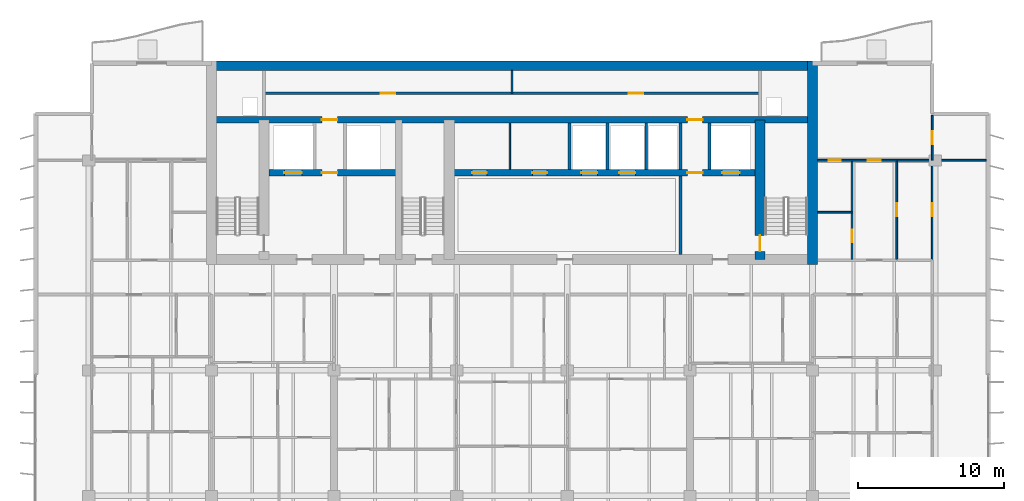
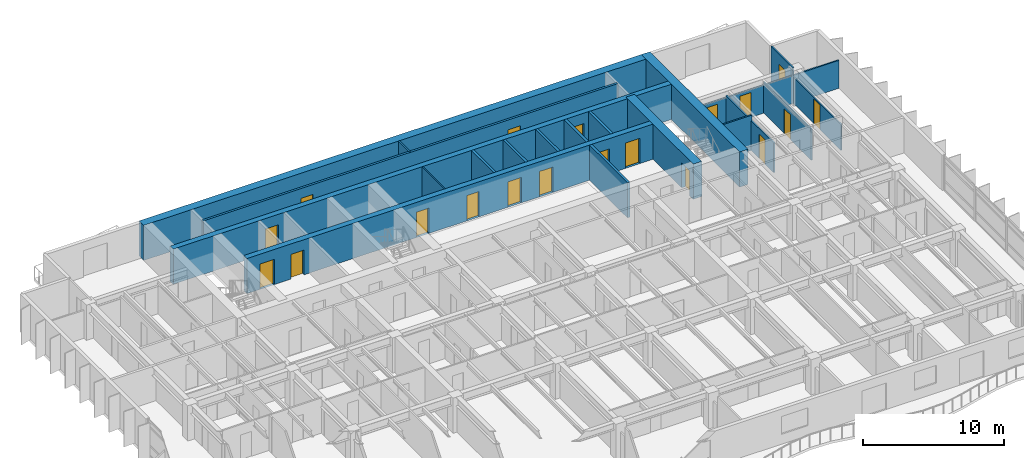
# One storey, part 13 of 18: 21 walls, 19 doors, 19 openings.
"""IFC4 building model written with IfcOpenShell, lengths in metres."""

import ifcopenshell
import ifcopenshell.guid

model = None  # the IFC model being written
_history = None  # IfcOwnerHistory: only IFC2X3 demands one
_inside = {}  # id of a spatial element -> (the spatial element, [elements in it])
_under = {}  # id of a project, library or spatial element -> (it, [spatial elements below it])
_declared = {}  # id of a project -> (the project, [libraries it declares])
_typed = {}  # id of a type object -> (the type object, [elements of that type])
_made_of = {}  # id of a material, layer set ... -> (it, [elements and type objects made of it])


def new_model(schema):
    """Start an empty IFC model of exactly this schema.

    Asked for "IFC4X3", IfcOpenShell would pick the latest addendum, in which some entities
    have other attributes; the version numbers below select the first issue.
    IFC2X3 requires an IfcOwnerHistory on every rooted entity: one is made here for all.
    """
    global model, _history
    if schema == "IFC4X3":
        model = ifcopenshell.file(schema_version=(4, 3, 0, 0))
    else:
        model = ifcopenshell.file(schema=schema)
    _inside.clear()
    _under.clear()
    _declared.clear()
    _typed.clear()
    _made_of.clear()
    _history = None
    if model.schema == "IFC2X3":
        org = make("IfcOrganization", Name="unknown")
        user = make(
            "IfcPersonAndOrganization",
            ThePerson=make("IfcPerson", FamilyName="unknown"),
            TheOrganization=org,
        )
        app = make(
            "IfcApplication",
            ApplicationDeveloper=org,
            Version="unknown",
            ApplicationFullName="unknown",
            ApplicationIdentifier="unknown",
        )
        _history = make(
            "IfcOwnerHistory",
            OwningUser=user,
            OwningApplication=app,
            ChangeAction="ADDED",
            CreationDate=0,
        )
    return model


def make(cls, **values):
    """One entity of the class cls with the attributes given. An attribute that is None is left unset."""
    return model.create_entity(
        cls, **{name: value for name, value in values.items() if value is not None}
    )


def rooted(cls, **values):
    """An entity with a GlobalId (a new one), such as an element, a storey or a relation."""
    return make(cls, GlobalId=ifcopenshell.guid.new(), OwnerHistory=_history, **values)


def si_unit(unit_type, name, prefix=None):
    """IfcSIUnit, for example si_unit("LENGTHUNIT", "METRE", prefix="MILLI")."""
    return make("IfcSIUnit", UnitType=unit_type, Prefix=prefix, Name=name)


def assignment(units):
    """IfcUnitAssignment: the units of a project."""
    return None if units is None else make("IfcUnitAssignment", Units=units)


def point(xyz):
    """IfcCartesianPoint."""
    return None if xyz is None else make("IfcCartesianPoint", Coordinates=xyz)


def direction(xyz):
    """IfcDirection."""
    return None if xyz is None else make("IfcDirection", DirectionRatios=xyz)


def frame(location, z_axis=None, x_axis=None):
    """IfcAxis2Placement3D, a coordinate frame: its origin and axes. An axis left out is left unset."""
    return make(
        "IfcAxis2Placement3D",
        Location=point(location),
        Axis=direction(z_axis),
        RefDirection=direction(x_axis),
    )


def frame_2d(location, x_axis=None):
    """IfcAxis2Placement2D, a coordinate frame in the plane: its origin and x axis."""
    return make(
        "IfcAxis2Placement2D", Location=point(location), RefDirection=direction(x_axis)
    )


def origin():
    """The frame at (0, 0, 0) with its axes left unset."""
    return frame((0.0, 0.0, 0.0))


def place(relative_to, where):
    """IfcLocalPlacement: puts the frame where relative to a parent placement (None: the world)."""
    return make(
        "IfcLocalPlacement", PlacementRelTo=relative_to, RelativePlacement=where
    )


def context(
    kind, dimensions, precision=None, world=None, true_north=None, identifier=None
):
    """IfcGeometricRepresentationContext, for example the 3D "Model" context."""
    return make(
        "IfcGeometricRepresentationContext",
        ContextIdentifier=identifier,
        ContextType=kind,
        CoordinateSpaceDimension=dimensions,
        Precision=precision,
        WorldCoordinateSystem=world,
        TrueNorth=true_north,
    )


def subcontext(parent, identifier, kind, view, scale=None):
    """IfcGeometricRepresentationSubContext, for example "Body" below "Model"."""
    return make(
        "IfcGeometricRepresentationSubContext",
        ContextIdentifier=identifier,
        ContextType=kind,
        ParentContext=parent,
        TargetScale=scale,
        TargetView=view,
    )


def project(units=None, contexts=None):
    """IfcProject with its units and contexts."""
    return rooted(
        "IfcProject",
        Name="project",
        RepresentationContexts=contexts,
        UnitsInContext=assignment(units),
    )


def spatial(cls, under=None, at=None, **own):
    """A site, building, storey or space (cls), placed at a placement, below another one or the project."""
    s = rooted(cls, ObjectPlacement=at, **own)
    if under is not None:
        _under.setdefault(under.id(), (under, []))[1].append(s)
    return s


def profile(cls, at=None, kind="AREA", **sizes):
    """A parametric profile (cls). Its sizes go by their IFC names, for example OverallWidth=200.0."""
    return make(cls, ProfileType=kind, Position=at, **sizes)


def rectangle(**sizes):
    """IfcRectangleProfileDef."""
    return profile("IfcRectangleProfileDef", **sizes)


def extrude(swept, where, along, depth):
    """IfcExtrudedAreaSolid: the profile swept, set in the frame where, extruded along a direction by depth."""
    return make(
        "IfcExtrudedAreaSolid",
        SweptArea=swept,
        Position=where,
        ExtrudedDirection=direction(along),
        Depth=depth,
    )


def shape(context_of_items, identifier, shape_type, items):
    """IfcShapeRepresentation: the items that make up one representation, for example the "Body"."""
    return make(
        "IfcShapeRepresentation",
        ContextOfItems=context_of_items,
        RepresentationIdentifier=identifier,
        RepresentationType=shape_type,
        Items=items,
    )


def material(Name=None, Category=None):
    """IfcMaterial."""
    return make("IfcMaterial", Name=Name, Category=Category)


def layer(
    of_material, thickness, ventilated=None, Name=None, Category=None, Priority=None
):
    """IfcMaterialLayer: one layer of a wall or slab, of a material (None: an air gap)."""
    return make(
        "IfcMaterialLayer",
        Material=of_material,
        LayerThickness=thickness,
        IsVentilated=ventilated,
        Name=Name,
        Category=Category,
        Priority=Priority,
    )


def layer_set(layers, Name=None):
    """IfcMaterialLayerSet."""
    return make("IfcMaterialLayerSet", MaterialLayers=layers, LayerSetName=Name)


def made_of(thing, what):
    """Note that an element or type object is made of a material, layer set ...; save() writes the relation."""
    if what is not None:
        _made_of.setdefault(what.id(), (what, []))[1].append(thing)
    return thing


def type_object(cls, material=None, **own):
    """A type object (cls), such as IfcWallType, which elements share."""
    return made_of(rooted(cls, **own), material)


def element(
    cls,
    number,
    at=None,
    inside=None,
    cuts=None,
    type_object=None,
    material=None,
    context=None,
    identifier="Body",
    shape_type=None,
    held_by="IfcProductDefinitionShape",
    body=None,
    shapes=None,
    **own,
):
    """One element of the class cls, such as IfcWall. Its Tag is "e" and its number.

    at: its placement. inside: the storey or other place that contains it. cuts: it is an
    opening in that element (IfcRelVoidsElement). A single representation is given by context,
    identifier, shape_type and body (its items); several are given by shapes. held_by: the class
    of the entity that holds the representations. save() writes the other relations.
    """
    e = rooted(cls, Tag="e%d" % number, ObjectPlacement=at, **own)
    if body is not None:
        shapes = [shape(context, identifier, shape_type, body)]
    if shapes is not None:
        e.Representation = make(held_by, Representations=shapes)
    if inside is not None:
        _inside.setdefault(inside.id(), (inside, []))[1].append(e)
    if cuts is not None:
        rooted(
            "IfcRelVoidsElement", RelatingBuildingElement=cuts, RelatedOpeningElement=e
        )
    if type_object is not None:
        _typed.setdefault(type_object.id(), (type_object, []))[1].append(e)
    return made_of(e, material)


def fill(opening, filler):
    """IfcRelFillsElement: the door or window that sits in an opening."""
    return rooted(
        "IfcRelFillsElement",
        RelatingOpeningElement=opening,
        RelatedBuildingElement=filler,
    )


def aggregate(whole, parts):
    """IfcRelAggregates: a whole, such as a stair, and the parts it consists of."""
    return rooted("IfcRelAggregates", RelatingObject=whole, RelatedObjects=parts)


def save(model, path):
    """Write the relations noted so far, then the file.

    IfcRelAggregates (storeys below a building ...), IfcRelContainedInSpatialStructure (elements
    in a storey), IfcRelDefinesByType, IfcRelAssociatesMaterial and IfcRelDeclares: one each for
    every whole, place, type object, material and project.
    """
    for whole, parts in _under.values():
        aggregate(whole, parts)
    for where, things in _inside.values():
        rooted(
            "IfcRelContainedInSpatialStructure",
            RelatedElements=things,
            RelatingStructure=where,
        )
    for kind, things in _typed.values():
        rooted("IfcRelDefinesByType", RelatedObjects=things, RelatingType=kind)
    for what, things in _made_of.values():
        rooted("IfcRelAssociatesMaterial", RelatedObjects=things, RelatingMaterial=what)
    for by, libraries in _declared.values():
        rooted("IfcRelDeclares", RelatingContext=by, RelatedDefinitions=libraries)
    model.write(path)


model = new_model("IFC4")

# Units and contexts
model_context = context("Model", 3, precision=1e-05, world=origin(), true_north=direction((0.0, 1.0)))
body_context = subcontext(model_context, "Body", "Model", "MODEL_VIEW")
ifc_project = project(units=[si_unit("LENGTHUNIT", "METRE"), si_unit("AREAUNIT", "SQUARE_METRE"), si_unit("VOLUMEUNIT", "CUBIC_METRE"), si_unit("PLANEANGLEUNIT", "RADIAN"), si_unit("MASSUNIT", "GRAM", prefix="KILO")], contexts=[model_context])

# Site, building, storey
site_placement = place(None, origin())
site = spatial("IfcSite", under=ifc_project, at=site_placement, CompositionType="ELEMENT")
building_placement = place(site_placement, origin())
building = spatial("IfcBuilding", under=site, at=building_placement, Name="Caelmar Bay Residences", CompositionType="ELEMENT")
storey_placement = place(building_placement, frame((0.0, 0.0, 173.699951171875)))
storey = spatial("IfcBuildingStorey", under=building, at=storey_placement, Name="L48", CompositionType="ELEMENT", Elevation=173.699951171875)

# Wall
ifc_material_1 = material(Name="Concrete f'c 55 MPa (8,000 psi)", Category="concrete")
ifc_layer_1 = layer(ifc_material_1, 0.699951171875)
ifc_layer_set_1 = layer_set([ifc_layer_1], Name="Concrete f'c 55 MPa (8,000 psi)")
wall_type_1 = type_object("IfcWallType", Name="SW-COR-700", PredefinedType="SHEAR", material=ifc_layer_set_1)
wall_1_placement = place(storey_placement, frame((59.5, 36.64990234375, 0.0), z_axis=(0.0, 0.0, 1.0), x_axis=(0.0, 1.0, 0.0)))
element("IfcWall", 1, at=wall_1_placement, inside=storey, type_object=wall_type_1, Name="L48 Rear Core East Shear Wall", PredefinedType="SHEAR", context=body_context, shape_type="SweptSolid", body=[
    extrude(rectangle(XDim=13.9501953125, YDim=0.699951171875, at=frame_2d((6.97509765625, 0.0))), origin(), (0.0, 0.0, 1.0), 3.050048828125),
])

# Wall, opening, door
wall_2_placement = place(storey_placement, frame((55.89990234375, 37.0, 0.0), z_axis=(0.0, 0.0, 1.0), x_axis=(0.0, 1.0, 0.0)))
wall_2 = element("IfcWall", 2, at=wall_2_placement, inside=storey, type_object=wall_type_1, Name="L48 Core Structural Web Wall ST2W", PredefinedType="SHEAR", context=body_context, shape_type="SweptSolid", body=[
    extrude(rectangle(XDim=9.574951171875, YDim=0.699951171875, at=frame_2d((4.78759765625, 0.0))), origin(), (0.0, 0.0, 1.0), 3.050048828125),
])
opening_1_placement = place(wall_2_placement, frame((0.550048828125, 0.0, 0.0)))
opening_1 = element("IfcOpeningElement", 3, at=opening_1_placement, cuts=wall_2, Name="Opening D-L48-110", PredefinedType="OPENING", context=body_context, shape_type="SweptSolid", body=[
    extrude(rectangle(XDim=1.10009765625, YDim=2.14990234375, at=frame_2d((0.550048828125, 1.074951171875))), frame((0.0, 0.35986328125, 0.0), z_axis=(0.0, -1.0, 0.0), x_axis=(1.0, 0.0, 0.0)), (0.0, 0.0, 1.0), 0.719970703125),
])
ifc_material_2 = material(Name="Fire-rated steel and walnut architectural door assembly", Category="steel")
ifc_layer_2 = layer(ifc_material_2, 0.050048828125)
ifc_layer_set_2 = layer_set([ifc_layer_2], Name="Fire-rated steel and walnut architectural door assembly")
door_type_1 = type_object("IfcDoorType", Name="D-STAIR-1100", OperationType="NOTDEFINED", PredefinedType="DOOR", material=ifc_layer_set_2)
door_1_placement = place(opening_1_placement, origin())
door_1 = element("IfcDoor", 4, at=door_1_placement, inside=storey, type_object=door_type_1, Name="L48 Firefighting Lobby East Door", OperationType="SINGLE_SWING_LEFT", OverallHeight=2.14990234375, OverallWidth=1.10009765625, PredefinedType="DOOR", context=body_context, shape_type="SweptSolid", body=[
    extrude(rectangle(XDim=1.10009765625, YDim=2.14990234375, at=frame_2d((0.550048828125, 1.074951171875))), frame((0.0, 0.02490234375, 0.0), z_axis=(0.0, -1.0, 0.0), x_axis=(1.0, 0.0, 0.0)), (0.0, 0.0, 1.0), 0.050048828125),
])
fill(opening_1, door_1)

# Wall
ifc_layer_3 = layer(ifc_material_1, 0.64990234375)
ifc_layer_set_3 = layer_set([ifc_layer_3], Name="Concrete f'c 55 MPa (8,000 psi)")
wall_type_2 = type_object("IfcWallType", Name="SW-CORN-650", PredefinedType="SHEAR", material=ifc_layer_set_3)
wall_3_placement = place(storey_placement, frame((17.949951171875, 50.27490234375, 0.0), z_axis=(0.0, 0.0, 1.0), x_axis=(1.0, 0.0, 0.0)))
element("IfcWall", 5, at=wall_3_placement, inside=storey, type_object=wall_type_2, Name="L48 Rear Core North Shear Wall", PredefinedType="SHEAR", context=body_context, shape_type="SweptSolid", body=[
    extrude(rectangle(XDim=41.900146484375, YDim=0.64990234375, at=frame_2d((20.9501953125, 0.0))), origin(), (0.0, 0.0, 1.0), 3.050048828125),
])

# Wall, openings, doors
ifc_material_3 = material(Name="Concrete f'c 70 MPa (10,000 psi)", Category="concrete")
ifc_layer_4 = layer(ifc_material_3, 0.449951171875)
ifc_layer_set_4 = layer_set([ifc_layer_4], Name="Concrete f'c 70 MPa (10,000 psi)")
wall_type_3 = type_object("IfcWallType", Name="SW-WEB-450", PredefinedType="SHEAR", material=ifc_layer_set_4)
wall_4_placement = place(storey_placement, frame((22.25, 42.949951171875, 0.0), z_axis=(0.0, 0.0, 1.0), x_axis=(1.0, 0.0, 0.0)))
wall_4 = element("IfcWall", 6, at=wall_4_placement, inside=storey, type_object=wall_type_3, Name="L48 Core Structural Web Wall LFR", PredefinedType="SHEAR", context=body_context, shape_type="SweptSolid", body=[
    extrude(rectangle(XDim=33.300048828125, YDim=0.449951171875, at=frame_2d((16.64990234375, 0.0))), origin(), (0.0, 0.0, 1.0), 3.050048828125),
])
opening_2_placement = place(wall_4_placement, frame((1.050048828125, 0.0, 0.0)))
opening_2 = element("IfcOpeningElement", 7, at=opening_2_placement, cuts=wall_4, Name="Opening LD2", PredefinedType="OPENING", context=body_context, shape_type="SweptSolid", body=[
    extrude(rectangle(XDim=1.199951171875, YDim=2.199951171875, at=frame_2d((0.60009765625, 1.10009765625))), frame((0.0, 0.23486328125, 0.0), z_axis=(0.0, -1.0, 0.0), x_axis=(1.0, 0.0, 0.0)), (0.0, 0.0, 1.0), 0.469970703125),
])
opening_3_placement = place(wall_4_placement, frame((31.050048828125, 0.0, 0.0)))
opening_3 = element("IfcOpeningElement", 8, at=opening_3_placement, cuts=wall_4, Name="Opening LD2", PredefinedType="OPENING", context=body_context, shape_type="SweptSolid", body=[
    extrude(rectangle(XDim=1.199951171875, YDim=2.199951171875, at=frame_2d((0.60009765625, 1.10009765625))), frame((0.0, 0.23486328125, 0.0), z_axis=(0.0, -1.0, 0.0), x_axis=(1.0, 0.0, 0.0)), (0.0, 0.0, 1.0), 0.469970703125),
])
opening_4_placement = place(wall_4_placement, frame((21.39990234375, 0.0, 0.0)))
opening_4 = element("IfcOpeningElement", 9, at=opening_4_placement, cuts=wall_4, Name="Opening LD1", PredefinedType="OPENING", context=body_context, shape_type="SweptSolid", body=[
    extrude(rectangle(XDim=1.10009765625, YDim=2.199951171875, at=frame_2d((0.550048828125, 1.10009765625))), frame((0.0, 0.23486328125, 0.0), z_axis=(0.0, -1.0, 0.0), x_axis=(1.0, 0.0, 0.0)), (0.0, 0.0, 1.0), 0.469970703125),
])
opening_5_placement = place(wall_4_placement, frame((24.0, 0.0, 0.0)))
opening_5 = element("IfcOpeningElement", 10, at=opening_5_placement, cuts=wall_4, Name="Opening LD1", PredefinedType="OPENING", context=body_context, shape_type="SweptSolid", body=[
    extrude(rectangle(XDim=1.10009765625, YDim=2.199951171875, at=frame_2d((0.550048828125, 1.10009765625))), frame((0.0, 0.23486328125, 0.0), z_axis=(0.0, -1.0, 0.0), x_axis=(1.0, 0.0, 0.0)), (0.0, 0.0, 1.0), 0.469970703125),
])
opening_6_placement = place(wall_4_placement, frame((3.625, 0.0, 0.0)))
opening_6 = element("IfcOpeningElement", 11, at=opening_6_placement, cuts=wall_4, Name="Opening D-L48-108", PredefinedType="OPENING", context=body_context, shape_type="SweptSolid", body=[
    extrude(rectangle(XDim=1.050048828125, YDim=2.14990234375, at=frame_2d((0.52490234375, 1.074951171875))), frame((0.0, 0.23486328125, 0.0), z_axis=(0.0, -1.0, 0.0), x_axis=(1.0, 0.0, 0.0)), (0.0, 0.0, 1.0), 0.469970703125),
])
opening_7_placement = place(wall_4_placement, frame((28.675048828125, 0.0, 0.0)))
opening_7 = element("IfcOpeningElement", 12, at=opening_7_placement, cuts=wall_4, Name="Opening D-L48-111", PredefinedType="OPENING", context=body_context, shape_type="SweptSolid", body=[
    extrude(rectangle(XDim=1.050048828125, YDim=2.14990234375, at=frame_2d((0.52490234375, 1.074951171875))), frame((0.0, 0.23486328125, 0.0), z_axis=(0.0, -1.0, 0.0), x_axis=(1.0, 0.0, 0.0)), (0.0, 0.0, 1.0), 0.469970703125),
])
opening_8_placement = place(wall_4_placement, frame((13.925048828125, 0.0, 0.0)))
opening_8 = element("IfcOpeningElement", 13, at=opening_8_placement, cuts=wall_4, Name="Opening D-L48-114", PredefinedType="OPENING", context=body_context, shape_type="SweptSolid", body=[
    extrude(rectangle(XDim=1.0, YDim=2.199951171875, at=frame_2d((0.5, 1.10009765625))), frame((0.0, 0.23486328125, 0.0), z_axis=(0.0, -1.0, 0.0), x_axis=(1.0, 0.0, 0.0)), (0.0, 0.0, 1.0), 0.469970703125),
])
opening_9_placement = place(wall_4_placement, frame((18.050048828125, 0.0, 0.0)))
opening_9 = element("IfcOpeningElement", 14, at=opening_9_placement, cuts=wall_4, Name="Opening D-L48-115", PredefinedType="OPENING", context=body_context, shape_type="SweptSolid", body=[
    extrude(rectangle(XDim=1.0, YDim=2.199951171875, at=frame_2d((0.5, 1.10009765625))), frame((0.0, 0.23486328125, 0.0), z_axis=(0.0, -1.0, 0.0), x_axis=(1.0, 0.0, 0.0)), (0.0, 0.0, 1.0), 0.469970703125),
])
ifc_layer_5 = layer(ifc_material_2, 0.050048828125)
ifc_layer_set_5 = layer_set([ifc_layer_5], Name="Fire-rated steel and walnut architectural door assembly")
door_type_2 = type_object("IfcDoorType", Name="D-FSAE-1050", OperationType="NOTDEFINED", PredefinedType="DOOR", material=ifc_layer_set_5)
door_2_placement = place(opening_6_placement, origin())
door_2 = element("IfcDoor", 15, at=door_2_placement, inside=storey, type_object=door_type_2, Name="L48 Firefighting Lobby West Door", OperationType="SINGLE_SWING_LEFT", OverallHeight=2.14990234375, OverallWidth=1.050048828125, PredefinedType="DOOR", context=body_context, shape_type="SweptSolid", body=[
    extrude(rectangle(XDim=1.050048828125, YDim=2.14990234375, at=frame_2d((0.52490234375, 1.074951171875))), frame((0.0, 0.02490234375, 0.0), z_axis=(0.0, -1.0, 0.0), x_axis=(1.0, 0.0, 0.0)), (0.0, 0.0, 1.0), 0.050048828125),
])
fill(opening_6, door_2)
door_3_placement = place(opening_7_placement, origin())
door_3 = element("IfcDoor", 16, at=door_3_placement, inside=storey, type_object=door_type_2, Name="L48 Firefighting Lobby East Door", OperationType="SINGLE_SWING_RIGHT", OverallHeight=2.14990234375, OverallWidth=1.050048828125, PredefinedType="DOOR", context=body_context, shape_type="SweptSolid", body=[
    extrude(rectangle(XDim=1.050048828125, YDim=2.14990234375, at=frame_2d((0.52490234375, 1.074951171875))), frame((0.0, 0.02490234375, 0.0), z_axis=(0.0, -1.0, 0.0), x_axis=(1.0, 0.0, 0.0)), (0.0, 0.0, 1.0), 0.050048828125),
])
fill(opening_7, door_3)
ifc_material_4 = material(Name="Brushed bronze stainless-steel fire-rated lift landing doors", Category="steel")
ifc_layer_6 = layer(ifc_material_4, 0.050048828125)
ifc_layer_set_6 = layer_set([ifc_layer_6], Name="Brushed bronze stainless-steel fire-rated lift landing doors")
door_type_3 = type_object("IfcDoorType", Name="D-LND-1100", OperationType="DOUBLE_DOOR_SLIDING", PredefinedType="DOOR", material=ifc_layer_set_6)
door_4_placement = place(opening_4_placement, origin())
door_4 = element("IfcDoor", 17, at=door_4_placement, inside=storey, type_object=door_type_3, Name="L48 LP4 Sliding Landing Door", OperationType="DOUBLE_DOOR_SLIDING", OverallHeight=2.199951171875, OverallWidth=1.10009765625, PredefinedType="DOOR", context=body_context, shape_type="SweptSolid", body=[
    extrude(rectangle(XDim=1.10009765625, YDim=2.199951171875, at=frame_2d((0.550048828125, 1.10009765625))), frame((0.0, 0.02490234375, 0.0), z_axis=(0.0, -1.0, 0.0), x_axis=(1.0, 0.0, 0.0)), (0.0, 0.0, 1.0), 0.050048828125),
])
fill(opening_4, door_4)
door_5_placement = place(opening_5_placement, origin())
door_5 = element("IfcDoor", 18, at=door_5_placement, inside=storey, type_object=door_type_3, Name="L48 LP5 Sliding Landing Door", OperationType="DOUBLE_DOOR_SLIDING", OverallHeight=2.199951171875, OverallWidth=1.10009765625, PredefinedType="DOOR", context=body_context, shape_type="SweptSolid", body=[
    extrude(rectangle(XDim=1.10009765625, YDim=2.199951171875, at=frame_2d((0.550048828125, 1.10009765625))), frame((0.0, 0.02490234375, 0.0), z_axis=(0.0, -1.0, 0.0), x_axis=(1.0, 0.0, 0.0)), (0.0, 0.0, 1.0), 0.050048828125),
])
fill(opening_5, door_5)
ifc_material_5 = material(Name="Brushed stainless-steel FSAE sliding landing door", Category="steel")
ifc_layer_7 = layer(ifc_material_5, 0.050048828125)
ifc_layer_set_7 = layer_set([ifc_layer_7], Name="Brushed stainless-steel FSAE sliding landing door")
door_type_4 = type_object("IfcDoorType", Name="D-LND-1200", OperationType="DOUBLE_DOOR_SLIDING", PredefinedType="DOOR", material=ifc_layer_set_7)
door_6_placement = place(opening_2_placement, origin())
door_6 = element("IfcDoor", 19, at=door_6_placement, inside=storey, type_object=door_type_4, Name="L48 LF1 Sliding Landing Door", OperationType="DOUBLE_DOOR_SLIDING", OverallHeight=2.199951171875, OverallWidth=1.199951171875, PredefinedType="DOOR", context=body_context, shape_type="SweptSolid", body=[
    extrude(rectangle(XDim=1.199951171875, YDim=2.199951171875, at=frame_2d((0.60009765625, 1.10009765625))), frame((0.0, 0.02490234375, 0.0), z_axis=(0.0, -1.0, 0.0), x_axis=(1.0, 0.0, 0.0)), (0.0, 0.0, 1.0), 0.050048828125),
])
fill(opening_2, door_6)
door_7_placement = place(opening_3_placement, origin())
door_7 = element("IfcDoor", 20, at=door_7_placement, inside=storey, type_object=door_type_4, Name="L48 LF2 Sliding Landing Door", OperationType="DOUBLE_DOOR_SLIDING", OverallHeight=2.199951171875, OverallWidth=1.199951171875, PredefinedType="DOOR", context=body_context, shape_type="SweptSolid", body=[
    extrude(rectangle(XDim=1.199951171875, YDim=2.199951171875, at=frame_2d((0.60009765625, 1.10009765625))), frame((0.0, 0.02490234375, 0.0), z_axis=(0.0, -1.0, 0.0), x_axis=(1.0, 0.0, 0.0)), (0.0, 0.0, 1.0), 0.050048828125),
])
fill(opening_3, door_7)
ifc_layer_8 = layer(ifc_material_2, 0.050048828125)
ifc_layer_set_8 = layer_set([ifc_layer_8], Name="Fire-rated steel and walnut architectural door assembly")
door_type_5 = type_object("IfcDoorType", Name="D-UNIT-1000", OperationType="NOTDEFINED", PredefinedType="DOOR", material=ifc_layer_set_8)
door_8_placement = place(opening_8_placement, origin())
door_8 = element("IfcDoor", 21, at=door_8_placement, inside=storey, type_object=door_type_5, Name="L48 Residents Study Room Door", OperationType="SINGLE_SWING_LEFT", OverallHeight=2.199951171875, OverallWidth=1.0, PredefinedType="DOOR", context=body_context, shape_type="SweptSolid", body=[
    extrude(rectangle(XDim=1.0, YDim=2.199951171875, at=frame_2d((0.5, 1.10009765625))), frame((0.0, 0.02490234375, 0.0), z_axis=(0.0, -1.0, 0.0), x_axis=(1.0, 0.0, 0.0)), (0.0, 0.0, 1.0), 0.050048828125),
])
fill(opening_8, door_8)
door_9_placement = place(opening_9_placement, origin())
door_9 = element("IfcDoor", 22, at=door_9_placement, inside=storey, type_object=door_type_5, Name="L48 Wine Tasting Room Door", OperationType="SINGLE_SWING_RIGHT", OverallHeight=2.199951171875, OverallWidth=1.0, PredefinedType="DOOR", context=body_context, shape_type="SweptSolid", body=[
    extrude(rectangle(XDim=1.0, YDim=2.199951171875, at=frame_2d((0.5, 1.10009765625))), frame((0.0, 0.02490234375, 0.0), z_axis=(0.0, -1.0, 0.0), x_axis=(1.0, 0.0, 0.0)), (0.0, 0.0, 1.0), 0.050048828125),
])
fill(opening_9, door_9)

wall_5_placement = place(storey_placement, frame((18.300048828125, 46.574951171875, 0.0), z_axis=(0.0, 0.0, 1.0), x_axis=(1.0, 0.0, 0.0)))
wall_5 = element("IfcWall", 23, at=wall_5_placement, inside=storey, type_object=wall_type_3, Name="L48 Core Structural Web Wall SRVS", PredefinedType="SHEAR", context=body_context, shape_type="SweptSolid", body=[
    extrude(rectangle(XDim=41.199951171875, YDim=0.449951171875, at=frame_2d((20.60009765625, 0.0))), origin(), (0.0, 0.0, 1.0), 3.050048828125),
])
opening_10_placement = place(wall_5_placement, frame((7.574951171875, 0.0, 0.0)))
opening_10 = element("IfcOpeningElement", 24, at=opening_10_placement, cuts=wall_5, Name="Opening D-L48-116", PredefinedType="OPENING", context=body_context, shape_type="SweptSolid", body=[
    extrude(rectangle(XDim=1.050048828125, YDim=2.14990234375, at=frame_2d((0.52490234375, 1.074951171875))), frame((0.0, 0.23486328125, 0.0), z_axis=(0.0, -1.0, 0.0), x_axis=(1.0, 0.0, 0.0)), (0.0, 0.0, 1.0), 0.469970703125),
])
opening_11_placement = place(wall_5_placement, frame((32.625, 0.0, 0.0)))
opening_11 = element("IfcOpeningElement", 25, at=opening_11_placement, cuts=wall_5, Name="Opening D-L48-117", PredefinedType="OPENING", context=body_context, shape_type="SweptSolid", body=[
    extrude(rectangle(XDim=1.050048828125, YDim=2.14990234375, at=frame_2d((0.52490234375, 1.074951171875))), frame((0.0, 0.23486328125, 0.0), z_axis=(0.0, -1.0, 0.0), x_axis=(1.0, 0.0, 0.0)), (0.0, 0.0, 1.0), 0.469970703125),
])
door_10_placement = place(opening_10_placement, origin())
door_10 = element("IfcDoor", 26, at=door_10_placement, inside=storey, type_object=door_type_2, Name="L48 Core Service Corridor Door", OperationType="SINGLE_SWING_LEFT", OverallHeight=2.14990234375, OverallWidth=1.050048828125, PredefinedType="DOOR", context=body_context, shape_type="SweptSolid", body=[
    extrude(rectangle(XDim=1.050048828125, YDim=2.14990234375, at=frame_2d((0.52490234375, 1.074951171875))), frame((0.0, 0.02490234375, 0.0), z_axis=(0.0, -1.0, 0.0), x_axis=(1.0, 0.0, 0.0)), (0.0, 0.0, 1.0), 0.050048828125),
])
fill(opening_10, door_10)
door_11_placement = place(opening_11_placement, origin())
door_11 = element("IfcDoor", 27, at=door_11_placement, inside=storey, type_object=door_type_2, Name="L48 Core Service Corridor Door", OperationType="SINGLE_SWING_RIGHT", OverallHeight=2.14990234375, OverallWidth=1.050048828125, PredefinedType="DOOR", context=body_context, shape_type="SweptSolid", body=[
    extrude(rectangle(XDim=1.050048828125, YDim=2.14990234375, at=frame_2d((0.52490234375, 1.074951171875))), frame((0.0, 0.02490234375, 0.0), z_axis=(0.0, -1.0, 0.0), x_axis=(1.0, 0.0, 0.0)), (0.0, 0.0, 1.0), 0.050048828125),
])
fill(opening_11, door_11)

ifc_material_6 = material(Name="Double-stud acoustic fire-rated gypsum partition 180 mm")
ifc_layer_9 = layer(ifc_material_6, 0.179931640625)
ifc_layer_set_9 = layer_set([ifc_layer_9], Name="Double-stud acoustic fire-rated gypsum partition 180 mm")
wall_type_4 = type_object("IfcWallType", Name="W-COR-200", PredefinedType="PARTITIONING", material=ifc_layer_set_9)
wall_6_placement = place(storey_placement, frame((21.89990234375, 48.39990234375, 0.0), z_axis=(0.0, 0.0, 1.0), x_axis=(1.0, 0.0, 0.0)))
wall_6 = element("IfcWall", 28, at=wall_6_placement, inside=storey, type_object=wall_type_4, Name="L48 Partition Wall H140", PredefinedType="PARTITIONING", context=body_context, shape_type="SweptSolid", body=[
    extrude(rectangle(XDim=34.0, YDim=0.179931640625, at=frame_2d((17.0, 0.0))), origin(), (0.0, 0.0, 1.0), 3.050048828125),
])
opening_12_placement = place(wall_6_placement, frame((8.0, 0.0, 0.0)))
opening_12 = element("IfcOpeningElement", 29, at=opening_12_placement, cuts=wall_6, Name="Opening D-L48-118", PredefinedType="OPENING", context=body_context, shape_type="SweptSolid", body=[
    extrude(rectangle(XDim=1.0, YDim=2.199951171875, at=frame_2d((0.5, 1.10009765625))), frame((0.0, 0.099853515625, 0.0), z_axis=(0.0, -1.0, 0.0), x_axis=(1.0, 0.0, 0.0)), (0.0, 0.0, 1.0), 0.199951171875),
])
opening_13_placement = place(wall_6_placement, frame((25.0, 0.0, 0.0)))
opening_13 = element("IfcOpeningElement", 30, at=opening_13_placement, cuts=wall_6, Name="Opening D-L48-119", PredefinedType="OPENING", context=body_context, shape_type="SweptSolid", body=[
    extrude(rectangle(XDim=1.0, YDim=2.199951171875, at=frame_2d((0.5, 1.10009765625))), frame((0.0, 0.099853515625, 0.0), z_axis=(0.0, -1.0, 0.0), x_axis=(1.0, 0.0, 0.0)), (0.0, 0.0, 1.0), 0.199951171875),
])
door_12_placement = place(opening_12_placement, origin())
door_12 = element("IfcDoor", 31, at=door_12_placement, inside=storey, type_object=door_type_5, Name="L48 Building Management Office Door", OperationType="SINGLE_SWING_LEFT", OverallHeight=2.199951171875, OverallWidth=1.0, PredefinedType="DOOR", context=body_context, shape_type="SweptSolid", body=[
    extrude(rectangle(XDim=1.0, YDim=2.199951171875, at=frame_2d((0.5, 1.10009765625))), frame((0.0, 0.02490234375, 0.0), z_axis=(0.0, -1.0, 0.0), x_axis=(1.0, 0.0, 0.0)), (0.0, 0.0, 1.0), 0.050048828125),
])
fill(opening_12, door_12)
door_13_placement = place(opening_13_placement, origin())
door_13 = element("IfcDoor", 32, at=door_13_placement, inside=storey, type_object=door_type_5, Name="L48 Concierge Operations Office Door", OperationType="SINGLE_SWING_RIGHT", OverallHeight=2.199951171875, OverallWidth=1.0, PredefinedType="DOOR", context=body_context, shape_type="SweptSolid", body=[
    extrude(rectangle(XDim=1.0, YDim=2.199951171875, at=frame_2d((0.5, 1.10009765625))), frame((0.0, 0.02490234375, 0.0), z_axis=(0.0, -1.0, 0.0), x_axis=(1.0, 0.0, 0.0)), (0.0, 0.0, 1.0), 0.050048828125),
])
fill(opening_13, door_13)

# Walls
ifc_material_7 = material(Name="Fire-rated masonry and gypsum shaftliner assembly 200 mm", Category="masonry")
ifc_layer_10 = layer(ifc_material_7, 0.199951171875)
ifc_layer_set_10 = layer_set([ifc_layer_10], Name="Fire-rated masonry and gypsum shaftliner assembly 200 mm")
wall_type_5 = type_object("IfcWallType", Name="W-FSAE-200", PredefinedType="PARTITIONING", material=ifc_layer_set_10)
for number, where, z_axis, x_axis, name in (
    (33, (42.85009765625, 43.169921875, 0.0), (0.0, 0.0, 1.0), (0.0, 1.0, 0.0), "L48 Partition Wall V061"),
    (34, (45.449951171875, 43.169921875, 0.0), (0.0, 0.0, 1.0), (0.0, 1.0, 0.0), "L48 Partition Wall V062"),
    (35, (48.10009765625, 43.169921875, 0.0), (0.0, 0.0, 1.0), (0.0, 1.0, 0.0), "L48 Partition Wall V063"),
):
    element("IfcWall", number, at=place(storey_placement, frame(where, z_axis=z_axis, x_axis=x_axis)), inside=storey, type_object=wall_type_5, Name=name, PredefinedType="PARTITIONING", context=body_context, shape_type="SweptSolid", body=[
        extrude(rectangle(XDim=3.18505859375, YDim=0.199951171875, at=frame_2d((1.592529296875, 0.0))), origin(), (0.0, 0.0, 1.0), 3.050048828125),
    ])
wall_7_placement = place(storey_placement, frame((50.449951171875, 37.344970703125, 0.0), z_axis=(0.0, 0.0, 1.0), x_axis=(0.0, 1.0, 0.0)))
element("IfcWall", 36, at=wall_7_placement, inside=storey, type_object=wall_type_5, Name="L48 Partition Wall V067", PredefinedType="PARTITIONING", context=body_context, shape_type="SweptSolid", body=[
    extrude(rectangle(XDim=5.385009765625, YDim=0.199951171875, at=frame_2d((2.6923828125, 0.0))), origin(), (0.0, 0.0, 1.0), 3.050048828125),
])
for number, where, z_axis, x_axis, name in (
    (37, (50.449951171875, 43.169921875, 0.0), (0.0, 0.0, 1.0), (0.0, 1.0, 0.0), "L48 Partition Wall V068"),
    (38, (52.449951171875, 43.169921875, 0.0), (0.0, 0.0, 1.0), (0.0, 1.0, 0.0), "L48 Partition Wall V074"),
):
    element("IfcWall", number, at=place(storey_placement, frame(where, z_axis=z_axis, x_axis=x_axis)), inside=storey, type_object=wall_type_5, Name=name, PredefinedType="PARTITIONING", context=body_context, shape_type="SweptSolid", body=[
        extrude(rectangle(XDim=3.18505859375, YDim=0.199951171875, at=frame_2d((1.592529296875, 0.0))), origin(), (0.0, 0.0, 1.0), 3.050048828125),
    ])
ifc_material_8 = material(Name="Anodised bronze framed acoustic sliding study partition 100 mm")
ifc_layer_11 = layer(ifc_material_8, 0.10009765625)
ifc_layer_set_11 = layer_set([ifc_layer_11], Name="Anodised bronze framed acoustic sliding study partition 100 mm")
wall_type_6 = type_object("IfcWallType", Name="W-MOV-100", PredefinedType="MOVABLE", material=ifc_layer_set_11)
wall_8_placement = place(storey_placement, frame((38.75, 43.169921875, 0.0), z_axis=(0.0, 0.0, 1.0), x_axis=(0.0, 1.0, 0.0)))
element("IfcWall", 39, at=wall_8_placement, inside=storey, type_object=wall_type_6, Name="L48 Partition Wall V050", PredefinedType="MOVABLE", context=body_context, shape_type="SweptSolid", body=[
    extrude(rectangle(XDim=3.18505859375, YDim=0.10009765625, at=frame_2d((1.592529296875, 0.0))), origin(), (0.0, 0.0, 1.0), 3.050048828125),
])

# Wall, opening, door
wall_9_placement = place(storey_placement, frame((67.699951171875, 37.0, 0.0), z_axis=(0.0, 0.0, 1.0), x_axis=(0.0, 1.0, 0.0)))
wall_9 = element("IfcWall", 40, at=wall_9_placement, inside=storey, type_object=wall_type_6, Name="L48 Partition Wall V102", PredefinedType="MOVABLE", context=body_context, shape_type="SweptSolid", body=[
    extrude(rectangle(XDim=6.800048828125, YDim=0.10009765625, at=frame_2d((3.39990234375, 0.0))), origin(), (0.0, 0.0, 1.0), 2.262939453125),
])
opening_14_placement = place(wall_9_placement, frame((2.949951171875, 0.0, 0.0)))
opening_14 = element("IfcOpeningElement", 41, at=opening_14_placement, cuts=wall_9, Name="Opening D-L48-177", PredefinedType="OPENING", context=body_context, shape_type="SweptSolid", body=[
    extrude(rectangle(XDim=0.89990234375, YDim=2.14990234375, at=frame_2d((0.449951171875, 1.074951171875))), frame((0.0, 0.06005859375, 0.0), z_axis=(0.0, -1.0, 0.0), x_axis=(1.0, 0.0, 0.0)), (0.0, 0.0, 1.0), 0.1201171875),
])
ifc_material_9 = material(Name="Solid walnut timber interior door leaf and frame", Category="wood")
ifc_layer_12 = layer(ifc_material_9, 0.050048828125)
ifc_layer_set_12 = layer_set([ifc_layer_12], Name="Solid walnut timber interior door leaf and frame")
door_type_6 = type_object("IfcDoorType", Name="D-ROOM-900", OperationType="NOTDEFINED", PredefinedType="DOOR", material=ifc_layer_set_12)
door_14_placement = place(opening_14_placement, origin())
door_14 = element("IfcDoor", 42, at=door_14_placement, inside=storey, type_object=door_type_6, Name="L48 Residence EA Sun Study Door", OperationType="SINGLE_SWING_RIGHT", OverallHeight=2.14990234375, OverallWidth=0.89990234375, PredefinedType="DOOR", context=body_context, shape_type="SweptSolid", body=[
    extrude(rectangle(XDim=0.89990234375, YDim=2.14990234375, at=frame_2d((0.449951171875, 1.074951171875))), frame((0.0, 0.02490234375, 0.0), z_axis=(0.0, -1.0, 0.0), x_axis=(1.0, 0.0, 0.0)), (0.0, 0.0, 1.0), 0.050048828125),
])
fill(opening_14, door_14)

# Wall
ifc_material_10 = material(Name="Acoustic metal-stud gypsum partition 120 mm")
ifc_layer_13 = layer(ifc_material_10, 0.1201171875)
ifc_layer_set_13 = layer_set([ifc_layer_13], Name="Acoustic metal-stud gypsum partition 120 mm")
wall_type_7 = type_object("IfcWallType", Name="W-PRT-120", PredefinedType="PARTITIONING", material=ifc_layer_set_13)
wall_10_placement = place(storey_placement, frame((38.89990234375, 48.39990234375, 0.0), z_axis=(0.0, 0.0, 1.0), x_axis=(0.0, 1.0, 0.0)))
element("IfcWall", 43, at=wall_10_placement, inside=storey, type_object=wall_type_7, Name="L48 Partition Wall V051", PredefinedType="PARTITIONING", context=body_context, shape_type="SweptSolid", body=[
    extrude(rectangle(XDim=1.55517578125, YDim=0.1201171875, at=frame_2d((0.777587890625, 0.0))), origin(), (0.0, 0.0, 1.0), 3.050048828125),
])

# Wall, opening, door
wall_11_placement = place(storey_placement, frame((62.199951171875, 37.0, 0.0), z_axis=(0.0, 0.0, 1.0), x_axis=(0.0, 1.0, 0.0)))
wall_11 = element("IfcWall", 44, at=wall_11_placement, inside=storey, type_object=wall_type_7, Name="L48 Partition Wall V088", PredefinedType="PARTITIONING", context=body_context, shape_type="SweptSolid", body=[
    extrude(rectangle(XDim=6.800048828125, YDim=0.1201171875, at=frame_2d((3.39990234375, 0.0))), origin(), (0.0, 0.0, 1.0), 2.578125),
])
opening_15_placement = place(wall_11_placement, frame((1.194091796875, 0.0, 0.0)))
opening_15 = element("IfcOpeningElement", 45, at=opening_15_placement, cuts=wall_11, Name="Opening D-L48-175", PredefinedType="OPENING", context=body_context, shape_type="SweptSolid", body=[
    extrude(rectangle(XDim=0.85009765625, YDim=2.10009765625, at=frame_2d((0.425048828125, 1.050048828125))), frame((0.0, 0.070068359375, 0.0), z_axis=(0.0, -1.0, 0.0), x_axis=(1.0, 0.0, 0.0)), (0.0, 0.0, 1.0), 0.14013671875),
])
ifc_layer_14 = layer(ifc_material_9, 0.050048828125)
ifc_layer_set_14 = layer_set([ifc_layer_14], Name="Solid walnut timber interior door leaf and frame")
door_type_7 = type_object("IfcDoorType", Name="D-BATH-850", OperationType="NOTDEFINED", PredefinedType="DOOR", material=ifc_layer_set_14)
door_15_placement = place(opening_15_placement, origin())
door_15 = element("IfcDoor", 46, at=door_15_placement, inside=storey, type_object=door_type_7, Name="L48 Residence EA Walk-In Closet Door", OperationType="SINGLE_SWING_RIGHT", OverallHeight=2.10009765625, OverallWidth=0.85009765625, PredefinedType="DOOR", context=body_context, shape_type="SweptSolid", body=[
    extrude(rectangle(XDim=0.85009765625, YDim=2.10009765625, at=frame_2d((0.425048828125, 1.050048828125))), frame((0.0, 0.02490234375, 0.0), z_axis=(0.0, -1.0, 0.0), x_axis=(1.0, 0.0, 0.0)), (0.0, 0.0, 1.0), 0.050048828125),
])
fill(opening_15, door_15)

wall_12_placement = place(storey_placement, frame((65.280029296875, 37.0, 0.0), z_axis=(0.0, 0.0, 1.0), x_axis=(0.0, 1.0, 0.0)))
wall_12 = element("IfcWall", 47, at=wall_12_placement, inside=storey, type_object=wall_type_7, Name="L48 Partition Wall V094", PredefinedType="PARTITIONING", context=body_context, shape_type="SweptSolid", body=[
    extrude(rectangle(XDim=6.800048828125, YDim=0.1201171875, at=frame_2d((3.39990234375, 0.0))), origin(), (0.0, 0.0, 1.0), 2.678955078125),
])
opening_16_placement = place(wall_12_placement, frame((2.949951171875, 0.0, 0.0)))
opening_16 = element("IfcOpeningElement", 48, at=opening_16_placement, cuts=wall_12, Name="Opening D-L48-172", PredefinedType="OPENING", context=body_context, shape_type="SweptSolid", body=[
    extrude(rectangle(XDim=0.89990234375, YDim=2.14990234375, at=frame_2d((0.449951171875, 1.074951171875))), frame((0.0, 0.070068359375, 0.0), z_axis=(0.0, -1.0, 0.0), x_axis=(1.0, 0.0, 0.0)), (0.0, 0.0, 1.0), 0.14013671875),
])
door_16_placement = place(opening_16_placement, origin())
door_16 = element("IfcDoor", 49, at=door_16_placement, inside=storey, type_object=door_type_6, Name="L48 Residence EA Dining Room Door", OperationType="SINGLE_SWING_LEFT", OverallHeight=2.14990234375, OverallWidth=0.89990234375, PredefinedType="DOOR", context=body_context, shape_type="SweptSolid", body=[
    extrude(rectangle(XDim=0.89990234375, YDim=2.14990234375, at=frame_2d((0.449951171875, 1.074951171875))), frame((0.0, 0.02490234375, 0.0), z_axis=(0.0, -1.0, 0.0), x_axis=(1.0, 0.0, 0.0)), (0.0, 0.0, 1.0), 0.050048828125),
])
fill(opening_16, door_16)

wall_13_placement = place(storey_placement, frame((67.699951171875, 43.804931640625, 0.0), z_axis=(0.0, 0.0, 1.0), x_axis=(0.0, 1.0, 0.0)))
wall_13 = element("IfcWall", 50, at=wall_13_placement, inside=storey, type_object=wall_type_7, Name="L48 Partition Wall V103", PredefinedType="PARTITIONING", context=body_context, shape_type="SweptSolid", body=[
    extrude(rectangle(XDim=3.074951171875, YDim=0.1201171875, at=frame_2d((1.53759765625, 0.0))), origin(), (0.0, 0.0, 1.0), 3.050048828125),
])
opening_17_placement = place(wall_13_placement, frame((1.08740234375, 0.0, 0.0)))
opening_17 = element("IfcOpeningElement", 51, at=opening_17_placement, cuts=wall_13, Name="Opening D-L48-178", PredefinedType="OPENING", context=body_context, shape_type="SweptSolid", body=[
    extrude(rectangle(XDim=0.89990234375, YDim=2.14990234375, at=frame_2d((0.449951171875, 1.074951171875))), frame((0.0, 0.070068359375, 0.0), z_axis=(0.0, -1.0, 0.0), x_axis=(1.0, 0.0, 0.0)), (0.0, 0.0, 1.0), 0.14013671875),
])
door_17_placement = place(opening_17_placement, origin())
door_17 = element("IfcDoor", 52, at=door_17_placement, inside=storey, type_object=door_type_6, Name="L48 Residence EA North Sitting Alcove Door", OperationType="SINGLE_SWING_LEFT", OverallHeight=2.14990234375, OverallWidth=0.89990234375, PredefinedType="DOOR", context=body_context, shape_type="SweptSolid", body=[
    extrude(rectangle(XDim=0.89990234375, YDim=2.14990234375, at=frame_2d((0.449951171875, 1.074951171875))), frame((0.0, 0.02490234375, 0.0), z_axis=(0.0, -1.0, 0.0), x_axis=(1.0, 0.0, 0.0)), (0.0, 0.0, 1.0), 0.050048828125),
])
fill(opening_17, door_17)

# Wall
wall_14_placement = place(storey_placement, frame((59.844970703125, 40.238037109375, 0.0), z_axis=(0.0, 0.0, 1.0), x_axis=(1.0, 0.0, 0.0)))
element("IfcWall", 53, at=wall_14_placement, inside=storey, type_object=wall_type_7, Name="L48 Partition Wall H136", PredefinedType="PARTITIONING", context=body_context, shape_type="SweptSolid", body=[
    extrude(rectangle(XDim=2.35498046875, YDim=0.1201171875, at=frame_2d((1.177490234375, 0.0))), origin(), (0.0, 0.0, 1.0), 3.050048828125),
])

# Wall, openings, doors
wall_15_placement = place(storey_placement, frame((59.844970703125, 43.800048828125, 0.0), z_axis=(0.0, 0.0, 1.0), x_axis=(1.0, 0.0, 0.0)))
wall_15 = element("IfcWall", 54, at=wall_15_placement, inside=storey, type_object=wall_type_7, Name="L48 Partition Wall H138", PredefinedType="PARTITIONING", context=body_context, shape_type="SweptSolid", body=[
    extrude(rectangle(XDim=5.43505859375, YDim=0.1201171875, at=frame_2d((2.717529296875, 0.0))), origin(), (0.0, 0.0, 1.0), 2.41796875),
])
opening_18_placement = place(wall_15_placement, frame((3.445068359375, 0.0, 0.0)))
opening_18 = element("IfcOpeningElement", 55, at=opening_18_placement, cuts=wall_15, Name="Opening D-L48-174", PredefinedType="OPENING", context=body_context, shape_type="SweptSolid", body=[
    extrude(rectangle(XDim=0.89990234375, YDim=2.14990234375, at=frame_2d((0.449951171875, 1.074951171875))), frame((0.0, 0.070068359375, 0.0), z_axis=(0.0, -1.0, 0.0), x_axis=(1.0, 0.0, 0.0)), (0.0, 0.0, 1.0), 0.14013671875),
])
opening_19_placement = place(wall_15_placement, frame((0.75244140625, 0.0, 0.0)))
opening_19 = element("IfcOpeningElement", 56, at=opening_19_placement, cuts=wall_15, Name="Opening D-L48-176", PredefinedType="OPENING", context=body_context, shape_type="SweptSolid", body=[
    extrude(rectangle(XDim=0.85009765625, YDim=2.10009765625, at=frame_2d((0.425048828125, 1.050048828125))), frame((0.0, 0.070068359375, 0.0), z_axis=(0.0, -1.0, 0.0), x_axis=(1.0, 0.0, 0.0)), (0.0, 0.0, 1.0), 0.14013671875),
])
door_18_placement = place(opening_19_placement, origin())
door_18 = element("IfcDoor", 57, at=door_18_placement, inside=storey, type_object=door_type_7, Name="L48 Residence EA Bathroom Door", OperationType="SINGLE_SWING_LEFT", OverallHeight=2.10009765625, OverallWidth=0.85009765625, PredefinedType="DOOR", context=body_context, shape_type="SweptSolid", body=[
    extrude(rectangle(XDim=0.85009765625, YDim=2.10009765625, at=frame_2d((0.425048828125, 1.050048828125))), frame((0.0, 0.02490234375, 0.0), z_axis=(0.0, -1.0, 0.0), x_axis=(1.0, 0.0, 0.0)), (0.0, 0.0, 1.0), 0.050048828125),
])
fill(opening_19, door_18)
door_19_placement = place(opening_18_placement, origin())
door_19 = element("IfcDoor", 58, at=door_19_placement, inside=storey, type_object=door_type_6, Name="L48 Residence EA Studio Living and Sleeping Room Door", OperationType="SINGLE_SWING_LEFT", OverallHeight=2.14990234375, OverallWidth=0.89990234375, PredefinedType="DOOR", context=body_context, shape_type="SweptSolid", body=[
    extrude(rectangle(XDim=0.89990234375, YDim=2.14990234375, at=frame_2d((0.449951171875, 1.074951171875))), frame((0.0, 0.02490234375, 0.0), z_axis=(0.0, -1.0, 0.0), x_axis=(1.0, 0.0, 0.0)), (0.0, 0.0, 1.0), 0.050048828125),
])
fill(opening_18, door_19)

# Wall
wall_16_placement = place(storey_placement, frame((65.31591796875, 43.800048828125, 0.0), z_axis=(0.0, 0.0, 1.0), x_axis=(1.0, 0.0, 0.0)))
element("IfcWall", 59, at=wall_16_placement, inside=storey, type_object=wall_type_7, Name="L48 Partition Wall H139", PredefinedType="PARTITIONING", context=body_context, shape_type="SweptSolid", body=[
    extrude(rectangle(XDim=6.089111328125, YDim=0.1201171875, at=frame_2d((3.04443359375, 0.0))), origin(), (0.0, 0.0, 1.0), 2.41796875),
])

save(model, "model.ifc")
